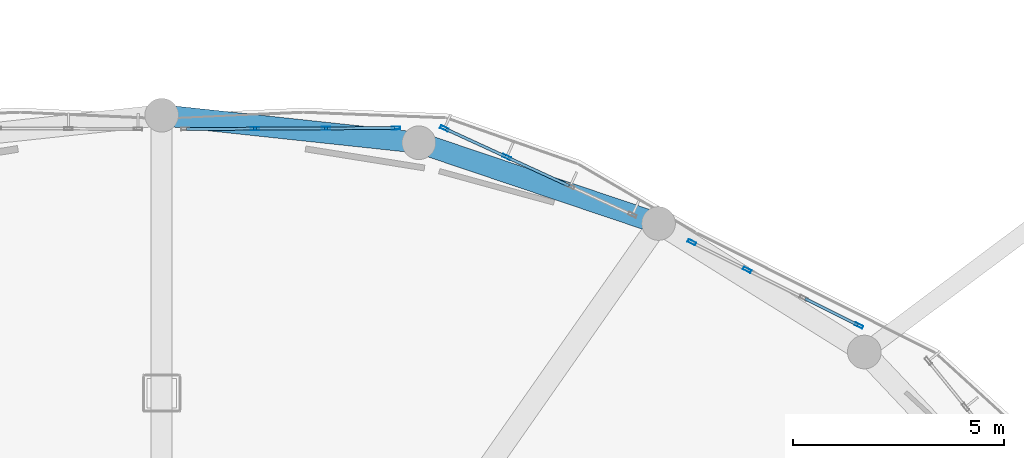
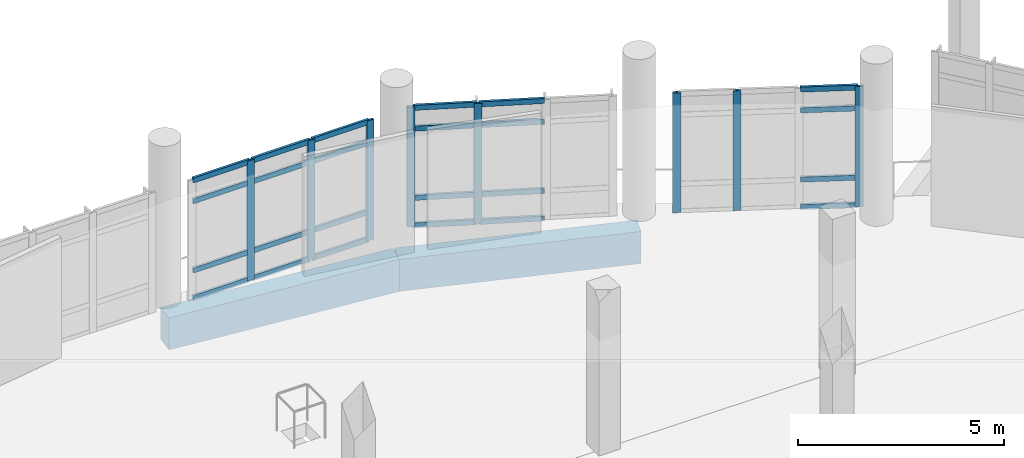
# One storey, part 17 of 63: 32 members, 2 beams, 3 elements without a shape of their own.
"""IFC4 building model written with IfcOpenShell, lengths in metres."""

import ifcopenshell
import ifcopenshell.guid

model = None  # the IFC model being written
_history = None  # IfcOwnerHistory: only IFC2X3 demands one
_inside = {}  # id of a spatial element -> (the spatial element, [elements in it])
_under = {}  # id of a project, library or spatial element -> (it, [spatial elements below it])
_declared = {}  # id of a project -> (the project, [libraries it declares])
_typed = {}  # id of a type object -> (the type object, [elements of that type])
_made_of = {}  # id of a material, layer set ... -> (it, [elements and type objects made of it])


def new_model(schema):
    """Start an empty IFC model of exactly this schema.

    Asked for "IFC4X3", IfcOpenShell would pick the latest addendum, in which some entities
    have other attributes; the version numbers below select the first issue.
    IFC2X3 requires an IfcOwnerHistory on every rooted entity: one is made here for all.
    """
    global model, _history
    if schema == "IFC4X3":
        model = ifcopenshell.file(schema_version=(4, 3, 0, 0))
    else:
        model = ifcopenshell.file(schema=schema)
    _inside.clear()
    _under.clear()
    _declared.clear()
    _typed.clear()
    _made_of.clear()
    _history = None
    if model.schema == "IFC2X3":
        org = make("IfcOrganization", Name="unknown")
        user = make(
            "IfcPersonAndOrganization",
            ThePerson=make("IfcPerson", FamilyName="unknown"),
            TheOrganization=org,
        )
        app = make(
            "IfcApplication",
            ApplicationDeveloper=org,
            Version="unknown",
            ApplicationFullName="unknown",
            ApplicationIdentifier="unknown",
        )
        _history = make(
            "IfcOwnerHistory",
            OwningUser=user,
            OwningApplication=app,
            ChangeAction="ADDED",
            CreationDate=0,
        )
    return model


def make(cls, **values):
    """One entity of the class cls with the attributes given. An attribute that is None is left unset."""
    return model.create_entity(
        cls, **{name: value for name, value in values.items() if value is not None}
    )


def rooted(cls, **values):
    """An entity with a GlobalId (a new one), such as an element, a storey or a relation."""
    return make(cls, GlobalId=ifcopenshell.guid.new(), OwnerHistory=_history, **values)


def si_unit(unit_type, name, prefix=None):
    """IfcSIUnit, for example si_unit("LENGTHUNIT", "METRE", prefix="MILLI")."""
    return make("IfcSIUnit", UnitType=unit_type, Prefix=prefix, Name=name)


def derived_unit(unit_type, elements):
    """IfcDerivedUnit: a product of units, each with its exponent."""
    return make(
        "IfcDerivedUnit",
        Elements=[
            make("IfcDerivedUnitElement", Unit=unit, Exponent=power)
            for unit, power in elements
        ],
        UnitType=unit_type,
    )


def assignment(units):
    """IfcUnitAssignment: the units of a project."""
    return None if units is None else make("IfcUnitAssignment", Units=units)


def point(xyz):
    """IfcCartesianPoint."""
    return None if xyz is None else make("IfcCartesianPoint", Coordinates=xyz)


def direction(xyz):
    """IfcDirection."""
    return None if xyz is None else make("IfcDirection", DirectionRatios=xyz)


def frame(location, z_axis=None, x_axis=None):
    """IfcAxis2Placement3D, a coordinate frame: its origin and axes. An axis left out is left unset."""
    return make(
        "IfcAxis2Placement3D",
        Location=point(location),
        Axis=direction(z_axis),
        RefDirection=direction(x_axis),
    )


def frame_2d(location, x_axis=None):
    """IfcAxis2Placement2D, a coordinate frame in the plane: its origin and x axis."""
    return make(
        "IfcAxis2Placement2D", Location=point(location), RefDirection=direction(x_axis)
    )


def origin():
    """The frame at (0, 0, 0) with its axes left unset."""
    return frame((0.0, 0.0, 0.0))


def origin_2d():
    """The frame at (0, 0) in the plane with its x axis left unset."""
    return frame_2d((0.0, 0.0))


def place(relative_to, where):
    """IfcLocalPlacement: puts the frame where relative to a parent placement (None: the world)."""
    return make(
        "IfcLocalPlacement", PlacementRelTo=relative_to, RelativePlacement=where
    )


def context(
    kind, dimensions, precision=None, world=None, true_north=None, identifier=None
):
    """IfcGeometricRepresentationContext, for example the 3D "Model" context."""
    return make(
        "IfcGeometricRepresentationContext",
        ContextIdentifier=identifier,
        ContextType=kind,
        CoordinateSpaceDimension=dimensions,
        Precision=precision,
        WorldCoordinateSystem=world,
        TrueNorth=true_north,
    )


def subcontext(parent, identifier, kind, view, scale=None):
    """IfcGeometricRepresentationSubContext, for example "Body" below "Model"."""
    return make(
        "IfcGeometricRepresentationSubContext",
        ContextIdentifier=identifier,
        ContextType=kind,
        ParentContext=parent,
        TargetScale=scale,
        TargetView=view,
    )


def project(units=None, contexts=None):
    """IfcProject with its units and contexts."""
    return rooted(
        "IfcProject",
        Name="project",
        RepresentationContexts=contexts,
        UnitsInContext=assignment(units),
    )


def spatial(cls, under=None, at=None, **own):
    """A site, building, storey or space (cls), placed at a placement, below another one or the project."""
    s = rooted(cls, ObjectPlacement=at, **own)
    if under is not None:
        _under.setdefault(under.id(), (under, []))[1].append(s)
    return s


def profile(cls, at=None, kind="AREA", **sizes):
    """A parametric profile (cls). Its sizes go by their IFC names, for example OverallWidth=200.0."""
    return make(cls, ProfileType=kind, Position=at, **sizes)


def rectangle(**sizes):
    """IfcRectangleProfileDef."""
    return profile("IfcRectangleProfileDef", **sizes)


def hollow_rectangle(**sizes):
    """IfcRectangleHollowProfileDef."""
    return profile("IfcRectangleHollowProfileDef", **sizes)


def extrude(swept, where, along, depth):
    """IfcExtrudedAreaSolid: the profile swept, set in the frame where, extruded along a direction by depth."""
    return make(
        "IfcExtrudedAreaSolid",
        SweptArea=swept,
        Position=where,
        ExtrudedDirection=direction(along),
        Depth=depth,
    )


def shape(context_of_items, identifier, shape_type, items):
    """IfcShapeRepresentation: the items that make up one representation, for example the "Body"."""
    return make(
        "IfcShapeRepresentation",
        ContextOfItems=context_of_items,
        RepresentationIdentifier=identifier,
        RepresentationType=shape_type,
        Items=items,
    )


def material(Name=None, Category=None):
    """IfcMaterial."""
    return make("IfcMaterial", Name=Name, Category=Category)


def layer(
    of_material, thickness, ventilated=None, Name=None, Category=None, Priority=None
):
    """IfcMaterialLayer: one layer of a wall or slab, of a material (None: an air gap)."""
    return make(
        "IfcMaterialLayer",
        Material=of_material,
        LayerThickness=thickness,
        IsVentilated=ventilated,
        Name=Name,
        Category=Category,
        Priority=Priority,
    )


def layer_set(layers, Name=None):
    """IfcMaterialLayerSet."""
    return make("IfcMaterialLayerSet", MaterialLayers=layers, LayerSetName=Name)


def material_profile(
    of_material, cross_section, Name=None, Category=None, Priority=None
):
    """IfcMaterialProfile: a cross section and its material."""
    return make(
        "IfcMaterialProfile",
        Name=Name,
        Material=of_material,
        Profile=cross_section,
        Priority=Priority,
        Category=Category,
    )


def profile_set(profiles, Name=None, composite=None):
    """IfcMaterialProfileSet."""
    return make(
        "IfcMaterialProfileSet",
        Name=Name,
        MaterialProfiles=profiles,
        CompositeProfile=composite,
    )


def made_of(thing, what):
    """Note that an element or type object is made of a material, layer set ...; save() writes the relation."""
    if what is not None:
        _made_of.setdefault(what.id(), (what, []))[1].append(thing)
    return thing


def type_object(cls, material=None, **own):
    """A type object (cls), such as IfcWallType, which elements share."""
    return made_of(rooted(cls, **own), material)


def element(
    cls,
    number,
    at=None,
    inside=None,
    cuts=None,
    type_object=None,
    material=None,
    context=None,
    identifier="Body",
    shape_type=None,
    held_by="IfcProductDefinitionShape",
    body=None,
    shapes=None,
    **own,
):
    """One element of the class cls, such as IfcWall. Its Tag is "e" and its number.

    at: its placement. inside: the storey or other place that contains it. cuts: it is an
    opening in that element (IfcRelVoidsElement). A single representation is given by context,
    identifier, shape_type and body (its items); several are given by shapes. held_by: the class
    of the entity that holds the representations. save() writes the other relations.
    """
    e = rooted(cls, Tag="e%d" % number, ObjectPlacement=at, **own)
    if body is not None:
        shapes = [shape(context, identifier, shape_type, body)]
    if shapes is not None:
        e.Representation = make(held_by, Representations=shapes)
    if inside is not None:
        _inside.setdefault(inside.id(), (inside, []))[1].append(e)
    if cuts is not None:
        rooted(
            "IfcRelVoidsElement", RelatingBuildingElement=cuts, RelatedOpeningElement=e
        )
    if type_object is not None:
        _typed.setdefault(type_object.id(), (type_object, []))[1].append(e)
    return made_of(e, material)


def aggregate(whole, parts):
    """IfcRelAggregates: a whole, such as a stair, and the parts it consists of."""
    return rooted("IfcRelAggregates", RelatingObject=whole, RelatedObjects=parts)


def save(model, path):
    """Write the relations noted so far, then the file.

    IfcRelAggregates (storeys below a building ...), IfcRelContainedInSpatialStructure (elements
    in a storey), IfcRelDefinesByType, IfcRelAssociatesMaterial and IfcRelDeclares: one each for
    every whole, place, type object, material and project.
    """
    for whole, parts in _under.values():
        aggregate(whole, parts)
    for where, things in _inside.values():
        rooted(
            "IfcRelContainedInSpatialStructure",
            RelatedElements=things,
            RelatingStructure=where,
        )
    for kind, things in _typed.values():
        rooted("IfcRelDefinesByType", RelatedObjects=things, RelatingType=kind)
    for what, things in _made_of.values():
        rooted("IfcRelAssociatesMaterial", RelatedObjects=things, RelatingMaterial=what)
    for by, libraries in _declared.values():
        rooted("IfcRelDeclares", RelatingContext=by, RelatedDefinitions=libraries)
    model.write(path)


model = new_model("IFC4")

# Units and contexts
model_context = context("Model", 3, precision=1e-05, world=origin(), true_north=direction((0.0, 1.0)))
body_context = subcontext(model_context, "Body", "Model", "MODEL_VIEW")
ifc_project = project(units=[si_unit("LENGTHUNIT", "METRE"), si_unit("AREAUNIT", "SQUARE_METRE"), si_unit("VOLUMEUNIT", "CUBIC_METRE"), si_unit("PLANEANGLEUNIT", "RADIAN"), si_unit("MASSUNIT", "GRAM", prefix="KILO"), derived_unit("THERMALTRANSMITTANCEUNIT", [(si_unit("POWERUNIT", "WATT"), 1), (si_unit("LENGTHUNIT", "METRE"), -2), (si_unit("THERMODYNAMICTEMPERATUREUNIT", "KELVIN"), -1)])], contexts=[model_context])

# Site, building, storey
site_placement = place(None, origin())
site = spatial("IfcSite", under=ifc_project, at=site_placement, CompositionType="ELEMENT")
building_placement = place(site_placement, origin())
building = spatial("IfcBuilding", under=site, at=building_placement, Name="Elbkamm Science Centre", CompositionType="ELEMENT")
storey_placement = place(building_placement, frame((0.0, 0.0, 5.10009765625)))
storey = spatial("IfcBuildingStorey", under=building, at=storey_placement, Name="L01", CompositionType="ELEMENT", Elevation=5.10009765625)

# Beams
ifc_material_1 = material(Name="Concrete C40/50", Category="concrete")
ifc_material_profile_1 = material_profile(ifc_material_1, rectangle(XDim=0.5, YDim=0.949951171875, at=origin_2d()), Name="RC 500x950")
ifc_profile_set_1 = profile_set([ifc_material_profile_1], Name="Concrete C40/50")
beam_type = type_object("IfcBeamType", Name="BM-RC-500x950", PredefinedType="BEAM", material=ifc_profile_set_1)
beam_1_placement = place(storey_placement, frame((74.800048828125, 83.827880859375, -0.875), z_axis=(-0.947637651085, 0.319347588444, 0.0), x_axis=(-0.319347588444, -0.947637651085, 0.0)))
element("IfcBeam", 1, at=beam_1_placement, inside=storey, type_object=beam_type, Name="L01 Elliptical Shell Perimeter Ring Beam 05", PredefinedType="SPANDREL", context=body_context, shape_type="SweptSolid", body=[
    extrude(rectangle(XDim=0.5, YDim=0.949951171875, at=origin_2d()), origin(), (0.0, 0.0, 1.0), 6.006591796875),
])
beam_2_placement = place(storey_placement, frame((69.10791015625, 85.74609375, -0.875), z_axis=(-0.994319674005, 0.106434890358, 0.0), x_axis=(-0.106434890358, -0.994319674005, 0.0)))
element("IfcBeam", 2, at=beam_2_placement, inside=storey, type_object=beam_type, Name="L01 Elliptical Shell Perimeter Ring Beam 06", PredefinedType="SPANDREL", context=body_context, shape_type="SweptSolid", body=[
    extrude(rectangle(XDim=0.5, YDim=0.949951171875, at=origin_2d()), origin(), (0.0, 0.0, 1.0), 6.142822265625),
])

# Curtain wall, members
ifc_material_2 = material(Name="Powder-coated aluminium and triple low-E glazing", Category="aluminium")
ifc_layer_1 = layer(ifc_material_2, 0.159912109375)
ifc_layer_set_1 = layer_set([ifc_layer_1], Name="Powder-coated aluminium and triple low-E glazing")
curtain_wall_type_1 = type_object("IfcCurtainWallType", Name="CW-UNIT-4500x3560", PredefinedType="USERDEFINED", material=ifc_layer_set_1)
curtain_wall_1_placement = place(storey_placement, origin())
curtain_wall_1 = element("IfcCurtainWall", 3, at=curtain_wall_1_placement, inside=storey, type_object=curtain_wall_type_1, Name="L01 Unitised Curtain Wall 006", ObjectType="UNITISED CURTAIN WALL", PredefinedType="USERDEFINED")
ifc_material_3 = material(Name="Powder-coated aluminium EN AW-6060", Category="aluminium")
ifc_material_profile_2 = material_profile(ifc_material_3, hollow_rectangle(XDim=0.070068359375, YDim=0.199951171875, WallThickness=0.00439453125, at=origin_2d()), Name="ALU M70x200")
ifc_profile_set_2 = profile_set([ifc_material_profile_2], Name="Powder-coated aluminium EN AW-6060")
member_type_1 = type_object("IfcMemberType", Name="CW-MUL-70x200", PredefinedType="MULLION", material=ifc_profile_set_2)
member_1_placement = place(storey_placement, frame((79.5615234375, 81.40234375, 0.0), z_axis=(0.0, 0.0, 1.0), x_axis=(-0.446441177439, -0.894812983303, 0.0)))
member_1 = element("IfcMember", 4, at=member_1_placement, type_object=member_type_1, Name="CW-004 mullion 1", PredefinedType="MULLION", context=body_context, shape_type="SweptSolid", body=[
    extrude(hollow_rectangle(XDim=0.070068359375, YDim=0.199951171875, WallThickness=0.00439453125, at=origin_2d()), origin(), (0.0, 0.0, 1.0), 3.5498046875),
])
member_2_placement = place(storey_placement, frame((76.904541015625, 82.727783203125, 0.0), z_axis=(0.0, 0.0, 1.0), x_axis=(-0.446441177439, -0.894812983303, 0.0)))
member_2 = element("IfcMember", 5, at=member_2_placement, type_object=member_type_1, Name="CW-004 mullion 3", PredefinedType="MULLION", context=body_context, shape_type="SweptSolid", body=[
    extrude(hollow_rectangle(XDim=0.070068359375, YDim=0.199951171875, WallThickness=0.00439453125, at=origin_2d()), origin(), (0.0, 0.0, 1.0), 3.5498046875),
])
member_3_placement = place(storey_placement, frame((75.591796875, 83.3828125, 0.0), z_axis=(0.0, 0.0, 1.0), x_axis=(-0.446441177439, -0.894812983303, 0.0)))
member_3 = element("IfcMember", 6, at=member_3_placement, type_object=member_type_1, Name="CW-004 mullion 4", PredefinedType="MULLION", context=body_context, shape_type="SweptSolid", body=[
    extrude(hollow_rectangle(XDim=0.070068359375, YDim=0.199951171875, WallThickness=0.00439453125, at=origin_2d()), origin(), (0.0, 0.0, 1.0), 3.5498046875),
])

ifc_layer_2 = layer(ifc_material_2, 0.159912109375)
ifc_layer_set_2 = layer_set([ifc_layer_2], Name="Powder-coated aluminium and triple low-E glazing")
curtain_wall_type_2 = type_object("IfcCurtainWallType", Name="CW-UNIT-4980x3560", PredefinedType="USERDEFINED", material=ifc_layer_set_2)
curtain_wall_2_placement = place(storey_placement, origin())
curtain_wall_2 = element("IfcCurtainWall", 7, at=curtain_wall_2_placement, inside=storey, type_object=curtain_wall_type_2, Name="L01 Unitised Curtain Wall 007", ObjectType="UNITISED CURTAIN WALL", PredefinedType="USERDEFINED")
member_4_placement = place(storey_placement, frame((71.192138671875, 85.406494140625, 0.0), z_axis=(0.0, 0.0, 1.0), x_axis=(-0.417704670458, -0.908582857134, 0.0)))
member_4 = element("IfcMember", 8, at=member_4_placement, type_object=member_type_1, Name="CW-005 mullion 3", PredefinedType="MULLION", context=body_context, shape_type="SweptSolid", body=[
    extrude(hollow_rectangle(XDim=0.070068359375, YDim=0.199951171875, WallThickness=0.00439453125, at=origin_2d()), origin(), (0.0, 0.0, 1.0), 3.5498046875),
])
member_5_placement = place(storey_placement, frame((69.713623046875, 86.086181640625, 0.0), z_axis=(0.0, 0.0, 1.0), x_axis=(-0.417704670458, -0.908582857134, 0.0)))
member_5 = element("IfcMember", 9, at=member_5_placement, type_object=member_type_1, Name="CW-005 mullion 4", PredefinedType="MULLION", context=body_context, shape_type="SweptSolid", body=[
    extrude(hollow_rectangle(XDim=0.070068359375, YDim=0.199951171875, WallThickness=0.00439453125, at=origin_2d()), origin(), (0.0, 0.0, 1.0), 3.5498046875),
])

ifc_layer_3 = layer(ifc_material_2, 0.159912109375)
ifc_layer_set_3 = layer_set([ifc_layer_3], Name="Powder-coated aluminium and triple low-E glazing")
curtain_wall_type_3 = type_object("IfcCurtainWallType", Name="CW-UNIT-5080x3560", PredefinedType="USERDEFINED", material=ifc_layer_set_3)
curtain_wall_3_placement = place(storey_placement, origin())
curtain_wall_3 = element("IfcCurtainWall", 10, at=curtain_wall_3_placement, inside=storey, type_object=curtain_wall_type_3, Name="L01 Unitised Curtain Wall 008", ObjectType="UNITISED CURTAIN WALL", PredefinedType="USERDEFINED")
member_6_placement = place(storey_placement, frame((68.56201171875, 86.095703125, 0.0), z_axis=(0.0, 0.0, 1.0), x_axis=(0.004632865661, -0.99998926822, 0.0)))
member_6 = element("IfcMember", 11, at=member_6_placement, type_object=member_type_1, Name="CW-006 mullion 1", PredefinedType="MULLION", context=body_context, shape_type="SweptSolid", body=[
    extrude(hollow_rectangle(XDim=0.070068359375, YDim=0.199951171875, WallThickness=0.00439453125, at=origin_2d()), origin(), (0.0, 0.0, 1.0), 3.5498046875),
])
member_7_placement = place(storey_placement, frame((66.906005859375, 86.088134765625, 0.0), z_axis=(0.0, 0.0, 1.0), x_axis=(0.004632865661, -0.99998926822, 0.0)))
member_7 = element("IfcMember", 12, at=member_7_placement, type_object=member_type_1, Name="CW-006 mullion 2", PredefinedType="MULLION", context=body_context, shape_type="SweptSolid", body=[
    extrude(hollow_rectangle(XDim=0.070068359375, YDim=0.199951171875, WallThickness=0.00439453125, at=origin_2d()), origin(), (0.0, 0.0, 1.0), 3.5498046875),
])
member_8_placement = place(storey_placement, frame((65.21533203125, 86.080322265625, 0.0), z_axis=(0.0, 0.0, 1.0), x_axis=(0.004632865661, -0.99998926822, 0.0)))
member_8 = element("IfcMember", 13, at=member_8_placement, type_object=member_type_1, Name="CW-006 mullion 3", PredefinedType="MULLION", context=body_context, shape_type="SweptSolid", body=[
    extrude(hollow_rectangle(XDim=0.070068359375, YDim=0.199951171875, WallThickness=0.00439453125, at=origin_2d()), origin(), (0.0, 0.0, 1.0), 3.5498046875),
])

# Member
ifc_material_profile_3 = material_profile(ifc_material_3, hollow_rectangle(XDim=0.070068359375, YDim=0.14990234375, WallThickness=0.00390625, at=origin_2d()), Name="ALU T70x150")
ifc_profile_set_3 = profile_set([ifc_material_profile_3], Name="Powder-coated aluminium EN AW-6060")
member_type_2 = type_object("IfcMemberType", Name="CW-TRN-70x150", PredefinedType="USERDEFINED", material=ifc_profile_set_3)
member_9_placement = place(storey_placement, frame((79.5302734375, 81.41796875, 0.034912109375), z_axis=(-0.894881072469, 0.446304678595, 0.0), x_axis=(-0.446304678595, -0.894881072469, 0.0)))
member_9 = element("IfcMember", 14, at=member_9_placement, type_object=member_type_2, Name="CW-004 transom 1.1", ObjectType="TRANSOM", PredefinedType="USERDEFINED", context=body_context, shape_type="SweptSolid", body=[
    extrude(hollow_rectangle(XDim=0.070068359375, YDim=0.14990234375, WallThickness=0.00390625, at=origin_2d()), origin(), (0.0, 0.0, 1.0), 1.397216796875),
])

member_10_placement = place(storey_placement, frame((79.5302734375, 81.41796875, 0.849853515625), z_axis=(-0.894881072469, 0.446304678595, 0.0), x_axis=(-0.446304678595, -0.894881072469, 0.0)))
member_10 = element("IfcMember", 15, at=member_10_placement, type_object=member_type_2, Name="CW-004 transom 1.2", ObjectType="TRANSOM", PredefinedType="USERDEFINED", context=body_context, shape_type="SweptSolid", body=[
    extrude(hollow_rectangle(XDim=0.070068359375, YDim=0.14990234375, WallThickness=0.00390625, at=origin_2d()), origin(), (0.0, 0.0, 1.0), 1.397216796875),
])

member_11_placement = place(storey_placement, frame((79.5302734375, 81.41796875, 2.89990234375), z_axis=(-0.894881072469, 0.446304678595, 0.0), x_axis=(-0.446304678595, -0.894881072469, 0.0)))
member_11 = element("IfcMember", 16, at=member_11_placement, type_object=member_type_2, Name="CW-004 transom 1.3", ObjectType="TRANSOM", PredefinedType="USERDEFINED", context=body_context, shape_type="SweptSolid", body=[
    extrude(hollow_rectangle(XDim=0.070068359375, YDim=0.14990234375, WallThickness=0.00390625, at=origin_2d()), origin(), (0.0, 0.0, 1.0), 1.397216796875),
])

member_12_placement = place(storey_placement, frame((79.5302734375, 81.41796875, 3.514892578125), z_axis=(-0.894881072469, 0.446304678595, 0.0), x_axis=(-0.446304678595, -0.894881072469, 0.0)))
member_12 = element("IfcMember", 17, at=member_12_placement, type_object=member_type_2, Name="CW-004 transom 1.4", ObjectType="TRANSOM", PredefinedType="USERDEFINED", context=body_context, shape_type="SweptSolid", body=[
    extrude(hollow_rectangle(XDim=0.070068359375, YDim=0.14990234375, WallThickness=0.00390625, at=origin_2d()), origin(), (0.0, 0.0, 1.0), 1.397216796875),
])

aggregate(curtain_wall_1, [member_1, member_2, member_3, member_9, member_10, member_11, member_12])

member_13_placement = place(storey_placement, frame((72.670654296875, 84.726806640625, 0.034912109375), z_axis=(-0.908577762865, 0.417715751231, 0.0), x_axis=(-0.417715751231, -0.908577762865, 0.0)))
member_13 = element("IfcMember", 18, at=member_13_placement, type_object=member_type_2, Name="CW-005 transom 2.1", ObjectType="TRANSOM", PredefinedType="USERDEFINED", context=body_context, shape_type="SweptSolid", body=[
    extrude(hollow_rectangle(XDim=0.070068359375, YDim=0.14990234375, WallThickness=0.00390625, at=origin_2d()), origin(), (0.0, 0.0, 1.0), 1.592041015625),
])

member_14_placement = place(storey_placement, frame((72.670654296875, 84.726806640625, 0.849853515625), z_axis=(-0.908577762865, 0.417715751231, 0.0), x_axis=(-0.417715751231, -0.908577762865, 0.0)))
member_14 = element("IfcMember", 19, at=member_14_placement, type_object=member_type_2, Name="CW-005 transom 2.2", ObjectType="TRANSOM", PredefinedType="USERDEFINED", context=body_context, shape_type="SweptSolid", body=[
    extrude(hollow_rectangle(XDim=0.070068359375, YDim=0.14990234375, WallThickness=0.00390625, at=origin_2d()), origin(), (0.0, 0.0, 1.0), 1.592041015625),
])

member_15_placement = place(storey_placement, frame((72.670654296875, 84.726806640625, 2.89990234375), z_axis=(-0.908577762865, 0.417715751231, 0.0), x_axis=(-0.417715751231, -0.908577762865, 0.0)))
member_15 = element("IfcMember", 20, at=member_15_placement, type_object=member_type_2, Name="CW-005 transom 2.3", ObjectType="TRANSOM", PredefinedType="USERDEFINED", context=body_context, shape_type="SweptSolid", body=[
    extrude(hollow_rectangle(XDim=0.070068359375, YDim=0.14990234375, WallThickness=0.00390625, at=origin_2d()), origin(), (0.0, 0.0, 1.0), 1.592041015625),
])

member_16_placement = place(storey_placement, frame((72.670654296875, 84.726806640625, 3.514892578125), z_axis=(-0.908577762865, 0.417715751231, 0.0), x_axis=(-0.417715751231, -0.908577762865, 0.0)))
member_16 = element("IfcMember", 21, at=member_16_placement, type_object=member_type_2, Name="CW-005 transom 2.4", ObjectType="TRANSOM", PredefinedType="USERDEFINED", context=body_context, shape_type="SweptSolid", body=[
    extrude(hollow_rectangle(XDim=0.070068359375, YDim=0.14990234375, WallThickness=0.00390625, at=origin_2d()), origin(), (0.0, 0.0, 1.0), 1.592041015625),
])

member_17_placement = place(storey_placement, frame((71.160400390625, 85.421142578125, 0.034912109375), z_axis=(-0.908532114321, 0.417815027552, 0.0), x_axis=(-0.417815027552, -0.908532114321, 0.0)))
member_17 = element("IfcMember", 22, at=member_17_placement, type_object=member_type_2, Name="CW-005 transom 3.1", ObjectType="TRANSOM", PredefinedType="USERDEFINED", context=body_context, shape_type="SweptSolid", body=[
    extrude(hollow_rectangle(XDim=0.070068359375, YDim=0.14990234375, WallThickness=0.00390625, at=origin_2d()), origin(), (0.0, 0.0, 1.0), 1.55712890625),
])

member_18_placement = place(storey_placement, frame((71.160400390625, 85.421142578125, 0.849853515625), z_axis=(-0.908532114321, 0.417815027552, 0.0), x_axis=(-0.417815027552, -0.908532114321, 0.0)))
member_18 = element("IfcMember", 23, at=member_18_placement, type_object=member_type_2, Name="CW-005 transom 3.2", ObjectType="TRANSOM", PredefinedType="USERDEFINED", context=body_context, shape_type="SweptSolid", body=[
    extrude(hollow_rectangle(XDim=0.070068359375, YDim=0.14990234375, WallThickness=0.00390625, at=origin_2d()), origin(), (0.0, 0.0, 1.0), 1.55712890625),
])

member_19_placement = place(storey_placement, frame((71.160400390625, 85.421142578125, 2.89990234375), z_axis=(-0.908532114321, 0.417815027552, 0.0), x_axis=(-0.417815027552, -0.908532114321, 0.0)))
member_19 = element("IfcMember", 24, at=member_19_placement, type_object=member_type_2, Name="CW-005 transom 3.3", ObjectType="TRANSOM", PredefinedType="USERDEFINED", context=body_context, shape_type="SweptSolid", body=[
    extrude(hollow_rectangle(XDim=0.070068359375, YDim=0.14990234375, WallThickness=0.00390625, at=origin_2d()), origin(), (0.0, 0.0, 1.0), 1.55712890625),
])

member_20_placement = place(storey_placement, frame((71.160400390625, 85.421142578125, 3.514892578125), z_axis=(-0.908532114321, 0.417815027552, 0.0), x_axis=(-0.417815027552, -0.908532114321, 0.0)))
member_20 = element("IfcMember", 25, at=member_20_placement, type_object=member_type_2, Name="CW-005 transom 3.4", ObjectType="TRANSOM", PredefinedType="USERDEFINED", context=body_context, shape_type="SweptSolid", body=[
    extrude(hollow_rectangle(XDim=0.070068359375, YDim=0.14990234375, WallThickness=0.00390625, at=origin_2d()), origin(), (0.0, 0.0, 1.0), 1.55712890625),
])

aggregate(curtain_wall_2, [member_4, member_5, member_13, member_14, member_15, member_16, member_17, member_18, member_19, member_20])

member_21_placement = place(storey_placement, frame((68.52685546875, 86.095458984375, 0.034912109375), z_axis=(-0.999989332878, -0.004618888374, 0.0), x_axis=(0.004618888374, -0.999989332878, 0.0)))
member_21 = element("IfcMember", 26, at=member_21_placement, type_object=member_type_2, Name="CW-006 transom 1.1", ObjectType="TRANSOM", PredefinedType="USERDEFINED", context=body_context, shape_type="SweptSolid", body=[
    extrude(hollow_rectangle(XDim=0.070068359375, YDim=0.14990234375, WallThickness=0.00390625, at=origin_2d()), origin(), (0.0, 0.0, 1.0), 1.585693359375),
])

member_22_placement = place(storey_placement, frame((68.52685546875, 86.095458984375, 0.849853515625), z_axis=(-0.999989332878, -0.004618888374, 0.0), x_axis=(0.004618888374, -0.999989332878, 0.0)))
member_22 = element("IfcMember", 27, at=member_22_placement, type_object=member_type_2, Name="CW-006 transom 1.2", ObjectType="TRANSOM", PredefinedType="USERDEFINED", context=body_context, shape_type="SweptSolid", body=[
    extrude(hollow_rectangle(XDim=0.070068359375, YDim=0.14990234375, WallThickness=0.00390625, at=origin_2d()), origin(), (0.0, 0.0, 1.0), 1.585693359375),
])

member_23_placement = place(storey_placement, frame((68.52685546875, 86.095458984375, 2.89990234375), z_axis=(-0.999989332878, -0.004618888374, 0.0), x_axis=(0.004618888374, -0.999989332878, 0.0)))
member_23 = element("IfcMember", 28, at=member_23_placement, type_object=member_type_2, Name="CW-006 transom 1.3", ObjectType="TRANSOM", PredefinedType="USERDEFINED", context=body_context, shape_type="SweptSolid", body=[
    extrude(hollow_rectangle(XDim=0.070068359375, YDim=0.14990234375, WallThickness=0.00390625, at=origin_2d()), origin(), (0.0, 0.0, 1.0), 1.585693359375),
])

member_24_placement = place(storey_placement, frame((68.52685546875, 86.095458984375, 3.514892578125), z_axis=(-0.999989332878, -0.004618888374, 0.0), x_axis=(0.004618888374, -0.999989332878, 0.0)))
member_24 = element("IfcMember", 29, at=member_24_placement, type_object=member_type_2, Name="CW-006 transom 1.4", ObjectType="TRANSOM", PredefinedType="USERDEFINED", context=body_context, shape_type="SweptSolid", body=[
    extrude(hollow_rectangle(XDim=0.070068359375, YDim=0.14990234375, WallThickness=0.00390625, at=origin_2d()), origin(), (0.0, 0.0, 1.0), 1.585693359375),
])

member_25_placement = place(storey_placement, frame((66.87109375, 86.087890625, 0.034912109375), z_axis=(-0.999989098633, -0.004669327016, 0.0), x_axis=(0.004669327016, -0.999989098633, 0.0)))
member_25 = element("IfcMember", 30, at=member_25_placement, type_object=member_type_2, Name="CW-006 transom 2.1", ObjectType="TRANSOM", PredefinedType="USERDEFINED", context=body_context, shape_type="SweptSolid", body=[
    extrude(hollow_rectangle(XDim=0.070068359375, YDim=0.14990234375, WallThickness=0.00390625, at=origin_2d()), origin(), (0.0, 0.0, 1.0), 1.620849609375),
])

member_26_placement = place(storey_placement, frame((66.87109375, 86.087890625, 0.849853515625), z_axis=(-0.999989098633, -0.004669327016, 0.0), x_axis=(0.004669327016, -0.999989098633, 0.0)))
member_26 = element("IfcMember", 31, at=member_26_placement, type_object=member_type_2, Name="CW-006 transom 2.2", ObjectType="TRANSOM", PredefinedType="USERDEFINED", context=body_context, shape_type="SweptSolid", body=[
    extrude(hollow_rectangle(XDim=0.070068359375, YDim=0.14990234375, WallThickness=0.00390625, at=origin_2d()), origin(), (0.0, 0.0, 1.0), 1.620849609375),
])

member_27_placement = place(storey_placement, frame((66.87109375, 86.087890625, 2.89990234375), z_axis=(-0.999989098633, -0.004669327016, 0.0), x_axis=(0.004669327016, -0.999989098633, 0.0)))
member_27 = element("IfcMember", 32, at=member_27_placement, type_object=member_type_2, Name="CW-006 transom 2.3", ObjectType="TRANSOM", PredefinedType="USERDEFINED", context=body_context, shape_type="SweptSolid", body=[
    extrude(hollow_rectangle(XDim=0.070068359375, YDim=0.14990234375, WallThickness=0.00390625, at=origin_2d()), origin(), (0.0, 0.0, 1.0), 1.620849609375),
])

member_28_placement = place(storey_placement, frame((66.87109375, 86.087890625, 3.514892578125), z_axis=(-0.999989098633, -0.004669327016, 0.0), x_axis=(0.004669327016, -0.999989098633, 0.0)))
member_28 = element("IfcMember", 33, at=member_28_placement, type_object=member_type_2, Name="CW-006 transom 2.4", ObjectType="TRANSOM", PredefinedType="USERDEFINED", context=body_context, shape_type="SweptSolid", body=[
    extrude(hollow_rectangle(XDim=0.070068359375, YDim=0.14990234375, WallThickness=0.00390625, at=origin_2d()), origin(), (0.0, 0.0, 1.0), 1.620849609375),
])

member_29_placement = place(storey_placement, frame((65.180419921875, 86.080078125, 0.034912109375), z_axis=(-0.999989336162, -0.004618177353, 0.0), x_axis=(0.004618177353, -0.999989336162, 0.0)))
member_29 = element("IfcMember", 34, at=member_29_placement, type_object=member_type_2, Name="CW-006 transom 3.1", ObjectType="TRANSOM", PredefinedType="USERDEFINED", context=body_context, shape_type="SweptSolid", body=[
    extrude(hollow_rectangle(XDim=0.070068359375, YDim=0.14990234375, WallThickness=0.00390625, at=origin_2d()), origin(), (0.0, 0.0, 1.0), 1.5859375),
])

member_30_placement = place(storey_placement, frame((65.180419921875, 86.080078125, 0.849853515625), z_axis=(-0.999989336162, -0.004618177353, 0.0), x_axis=(0.004618177353, -0.999989336162, 0.0)))
member_30 = element("IfcMember", 35, at=member_30_placement, type_object=member_type_2, Name="CW-006 transom 3.2", ObjectType="TRANSOM", PredefinedType="USERDEFINED", context=body_context, shape_type="SweptSolid", body=[
    extrude(hollow_rectangle(XDim=0.070068359375, YDim=0.14990234375, WallThickness=0.00390625, at=origin_2d()), origin(), (0.0, 0.0, 1.0), 1.5859375),
])

member_31_placement = place(storey_placement, frame((65.180419921875, 86.080078125, 2.89990234375), z_axis=(-0.999989336162, -0.004618177353, 0.0), x_axis=(0.004618177353, -0.999989336162, 0.0)))
member_31 = element("IfcMember", 36, at=member_31_placement, type_object=member_type_2, Name="CW-006 transom 3.3", ObjectType="TRANSOM", PredefinedType="USERDEFINED", context=body_context, shape_type="SweptSolid", body=[
    extrude(hollow_rectangle(XDim=0.070068359375, YDim=0.14990234375, WallThickness=0.00390625, at=origin_2d()), origin(), (0.0, 0.0, 1.0), 1.5859375),
])

member_32_placement = place(storey_placement, frame((65.180419921875, 86.080078125, 3.514892578125), z_axis=(-0.999989336162, -0.004618177353, 0.0), x_axis=(0.004618177353, -0.999989336162, 0.0)))
member_32 = element("IfcMember", 37, at=member_32_placement, type_object=member_type_2, Name="CW-006 transom 3.4", ObjectType="TRANSOM", PredefinedType="USERDEFINED", context=body_context, shape_type="SweptSolid", body=[
    extrude(hollow_rectangle(XDim=0.070068359375, YDim=0.14990234375, WallThickness=0.00390625, at=origin_2d()), origin(), (0.0, 0.0, 1.0), 1.5859375),
])

aggregate(curtain_wall_3, [member_6, member_7, member_8, member_21, member_22, member_23, member_24, member_25, member_26, member_27, member_28, member_29, member_30, member_31, member_32])

save(model, "model.ifc")
